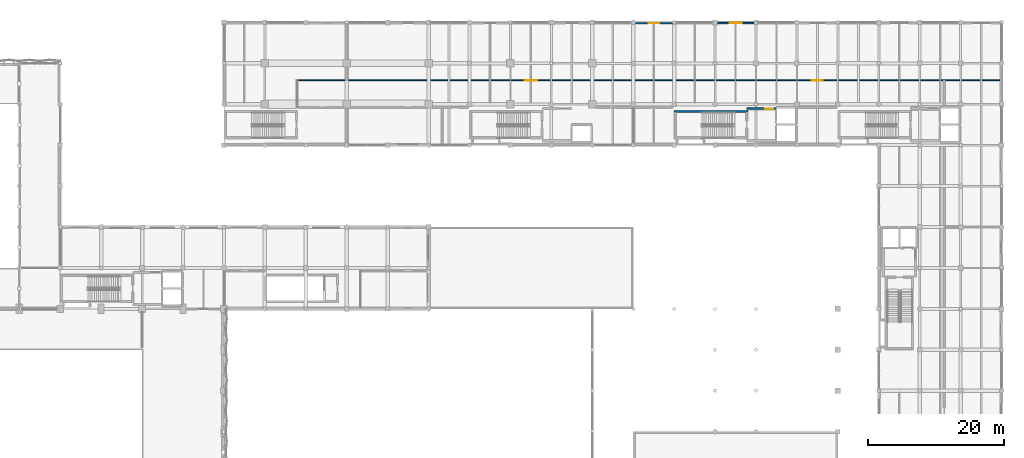
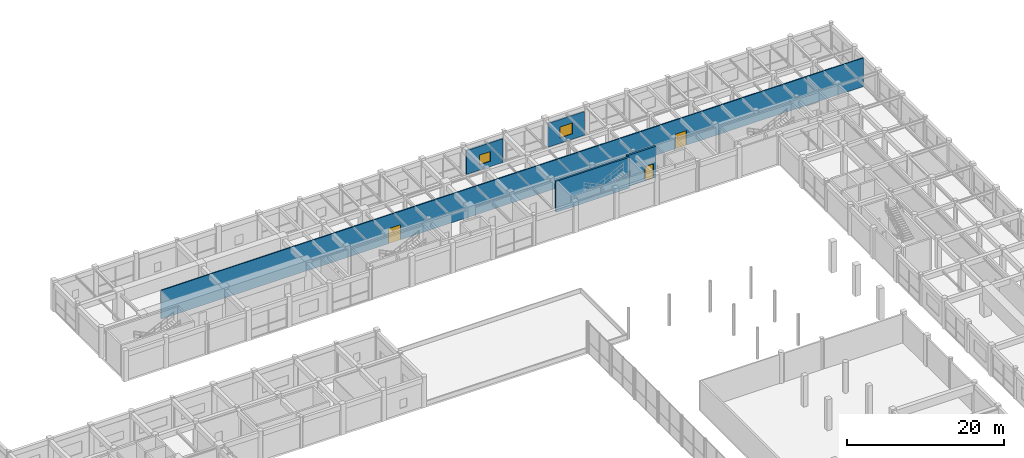
# One storey, part 104 of 123: 5 walls, 3 doors, 2 windows, 5 openings.
"""IFC4 building model written with IfcOpenShell, lengths in metres."""

import ifcopenshell
import ifcopenshell.guid

model = None  # the IFC model being written
_history = None  # IfcOwnerHistory: only IFC2X3 demands one
_inside = {}  # id of a spatial element -> (the spatial element, [elements in it])
_under = {}  # id of a project, library or spatial element -> (it, [spatial elements below it])
_declared = {}  # id of a project -> (the project, [libraries it declares])
_typed = {}  # id of a type object -> (the type object, [elements of that type])
_made_of = {}  # id of a material, layer set ... -> (it, [elements and type objects made of it])


def new_model(schema):
    """Start an empty IFC model of exactly this schema.

    Asked for "IFC4X3", IfcOpenShell would pick the latest addendum, in which some entities
    have other attributes; the version numbers below select the first issue.
    IFC2X3 requires an IfcOwnerHistory on every rooted entity: one is made here for all.
    """
    global model, _history
    if schema == "IFC4X3":
        model = ifcopenshell.file(schema_version=(4, 3, 0, 0))
    else:
        model = ifcopenshell.file(schema=schema)
    _inside.clear()
    _under.clear()
    _declared.clear()
    _typed.clear()
    _made_of.clear()
    _history = None
    if model.schema == "IFC2X3":
        org = make("IfcOrganization", Name="unknown")
        user = make(
            "IfcPersonAndOrganization",
            ThePerson=make("IfcPerson", FamilyName="unknown"),
            TheOrganization=org,
        )
        app = make(
            "IfcApplication",
            ApplicationDeveloper=org,
            Version="unknown",
            ApplicationFullName="unknown",
            ApplicationIdentifier="unknown",
        )
        _history = make(
            "IfcOwnerHistory",
            OwningUser=user,
            OwningApplication=app,
            ChangeAction="ADDED",
            CreationDate=0,
        )
    return model


def make(cls, **values):
    """One entity of the class cls with the attributes given. An attribute that is None is left unset."""
    return model.create_entity(
        cls, **{name: value for name, value in values.items() if value is not None}
    )


def rooted(cls, **values):
    """An entity with a GlobalId (a new one), such as an element, a storey or a relation."""
    return make(cls, GlobalId=ifcopenshell.guid.new(), OwnerHistory=_history, **values)


def si_unit(unit_type, name, prefix=None):
    """IfcSIUnit, for example si_unit("LENGTHUNIT", "METRE", prefix="MILLI")."""
    return make("IfcSIUnit", UnitType=unit_type, Prefix=prefix, Name=name)


def assignment(units):
    """IfcUnitAssignment: the units of a project."""
    return None if units is None else make("IfcUnitAssignment", Units=units)


def point(xyz):
    """IfcCartesianPoint."""
    return None if xyz is None else make("IfcCartesianPoint", Coordinates=xyz)


def direction(xyz):
    """IfcDirection."""
    return None if xyz is None else make("IfcDirection", DirectionRatios=xyz)


def frame(location, z_axis=None, x_axis=None):
    """IfcAxis2Placement3D, a coordinate frame: its origin and axes. An axis left out is left unset."""
    return make(
        "IfcAxis2Placement3D",
        Location=point(location),
        Axis=direction(z_axis),
        RefDirection=direction(x_axis),
    )


def frame_2d(location, x_axis=None):
    """IfcAxis2Placement2D, a coordinate frame in the plane: its origin and x axis."""
    return make(
        "IfcAxis2Placement2D", Location=point(location), RefDirection=direction(x_axis)
    )


def origin():
    """The frame at (0, 0, 0) with its axes left unset."""
    return frame((0.0, 0.0, 0.0))


def place(relative_to, where):
    """IfcLocalPlacement: puts the frame where relative to a parent placement (None: the world)."""
    return make(
        "IfcLocalPlacement", PlacementRelTo=relative_to, RelativePlacement=where
    )


def context(
    kind, dimensions, precision=None, world=None, true_north=None, identifier=None
):
    """IfcGeometricRepresentationContext, for example the 3D "Model" context."""
    return make(
        "IfcGeometricRepresentationContext",
        ContextIdentifier=identifier,
        ContextType=kind,
        CoordinateSpaceDimension=dimensions,
        Precision=precision,
        WorldCoordinateSystem=world,
        TrueNorth=true_north,
    )


def subcontext(parent, identifier, kind, view, scale=None):
    """IfcGeometricRepresentationSubContext, for example "Body" below "Model"."""
    return make(
        "IfcGeometricRepresentationSubContext",
        ContextIdentifier=identifier,
        ContextType=kind,
        ParentContext=parent,
        TargetScale=scale,
        TargetView=view,
    )


def project(units=None, contexts=None):
    """IfcProject with its units and contexts."""
    return rooted(
        "IfcProject",
        Name="project",
        RepresentationContexts=contexts,
        UnitsInContext=assignment(units),
    )


def spatial(cls, under=None, at=None, **own):
    """A site, building, storey or space (cls), placed at a placement, below another one or the project."""
    s = rooted(cls, ObjectPlacement=at, **own)
    if under is not None:
        _under.setdefault(under.id(), (under, []))[1].append(s)
    return s


def profile(cls, at=None, kind="AREA", **sizes):
    """A parametric profile (cls). Its sizes go by their IFC names, for example OverallWidth=200.0."""
    return make(cls, ProfileType=kind, Position=at, **sizes)


def rectangle(**sizes):
    """IfcRectangleProfileDef."""
    return profile("IfcRectangleProfileDef", **sizes)


def extrude(swept, where, along, depth):
    """IfcExtrudedAreaSolid: the profile swept, set in the frame where, extruded along a direction by depth."""
    return make(
        "IfcExtrudedAreaSolid",
        SweptArea=swept,
        Position=where,
        ExtrudedDirection=direction(along),
        Depth=depth,
    )


def shape(context_of_items, identifier, shape_type, items):
    """IfcShapeRepresentation: the items that make up one representation, for example the "Body"."""
    return make(
        "IfcShapeRepresentation",
        ContextOfItems=context_of_items,
        RepresentationIdentifier=identifier,
        RepresentationType=shape_type,
        Items=items,
    )


def material(Name=None, Category=None):
    """IfcMaterial."""
    return make("IfcMaterial", Name=Name, Category=Category)


def layer(
    of_material, thickness, ventilated=None, Name=None, Category=None, Priority=None
):
    """IfcMaterialLayer: one layer of a wall or slab, of a material (None: an air gap)."""
    return make(
        "IfcMaterialLayer",
        Material=of_material,
        LayerThickness=thickness,
        IsVentilated=ventilated,
        Name=Name,
        Category=Category,
        Priority=Priority,
    )


def layer_set(layers, Name=None):
    """IfcMaterialLayerSet."""
    return make("IfcMaterialLayerSet", MaterialLayers=layers, LayerSetName=Name)


def made_of(thing, what):
    """Note that an element or type object is made of a material, layer set ...; save() writes the relation."""
    if what is not None:
        _made_of.setdefault(what.id(), (what, []))[1].append(thing)
    return thing


def type_object(cls, material=None, **own):
    """A type object (cls), such as IfcWallType, which elements share."""
    return made_of(rooted(cls, **own), material)


def element(
    cls,
    number,
    at=None,
    inside=None,
    cuts=None,
    type_object=None,
    material=None,
    context=None,
    identifier="Body",
    shape_type=None,
    held_by="IfcProductDefinitionShape",
    body=None,
    shapes=None,
    **own,
):
    """One element of the class cls, such as IfcWall. Its Tag is "e" and its number.

    at: its placement. inside: the storey or other place that contains it. cuts: it is an
    opening in that element (IfcRelVoidsElement). A single representation is given by context,
    identifier, shape_type and body (its items); several are given by shapes. held_by: the class
    of the entity that holds the representations. save() writes the other relations.
    """
    e = rooted(cls, Tag="e%d" % number, ObjectPlacement=at, **own)
    if body is not None:
        shapes = [shape(context, identifier, shape_type, body)]
    if shapes is not None:
        e.Representation = make(held_by, Representations=shapes)
    if inside is not None:
        _inside.setdefault(inside.id(), (inside, []))[1].append(e)
    if cuts is not None:
        rooted(
            "IfcRelVoidsElement", RelatingBuildingElement=cuts, RelatedOpeningElement=e
        )
    if type_object is not None:
        _typed.setdefault(type_object.id(), (type_object, []))[1].append(e)
    return made_of(e, material)


def fill(opening, filler):
    """IfcRelFillsElement: the door or window that sits in an opening."""
    return rooted(
        "IfcRelFillsElement",
        RelatingOpeningElement=opening,
        RelatedBuildingElement=filler,
    )


def aggregate(whole, parts):
    """IfcRelAggregates: a whole, such as a stair, and the parts it consists of."""
    return rooted("IfcRelAggregates", RelatingObject=whole, RelatedObjects=parts)


def save(model, path):
    """Write the relations noted so far, then the file.

    IfcRelAggregates (storeys below a building ...), IfcRelContainedInSpatialStructure (elements
    in a storey), IfcRelDefinesByType, IfcRelAssociatesMaterial and IfcRelDeclares: one each for
    every whole, place, type object, material and project.
    """
    for whole, parts in _under.values():
        aggregate(whole, parts)
    for where, things in _inside.values():
        rooted(
            "IfcRelContainedInSpatialStructure",
            RelatedElements=things,
            RelatingStructure=where,
        )
    for kind, things in _typed.values():
        rooted("IfcRelDefinesByType", RelatedObjects=things, RelatingType=kind)
    for what, things in _made_of.values():
        rooted("IfcRelAssociatesMaterial", RelatedObjects=things, RelatingMaterial=what)
    for by, libraries in _declared.values():
        rooted("IfcRelDeclares", RelatingContext=by, RelatedDefinitions=libraries)
    model.write(path)


model = new_model("IFC4")

# Units and contexts
model_context = context("Model", 3, precision=1e-05, world=origin(), true_north=direction((0.0, 1.0)))
body_context = subcontext(model_context, "Body", "Model", "MODEL_VIEW")
ifc_project = project(units=[si_unit("LENGTHUNIT", "METRE"), si_unit("AREAUNIT", "SQUARE_METRE"), si_unit("VOLUMEUNIT", "CUBIC_METRE"), si_unit("PLANEANGLEUNIT", "RADIAN"), si_unit("MASSUNIT", "GRAM", prefix="KILO"), si_unit("THERMODYNAMICTEMPERATUREUNIT", "KELVIN"), si_unit("POWERUNIT", "WATT")], contexts=[model_context])

# Site, building, storey
site_placement = place(None, origin())
site = spatial("IfcSite", under=ifc_project, at=site_placement, CompositionType="ELEMENT")
building_placement = place(site_placement, origin())
building = spatial("IfcBuilding", under=site, at=building_placement, Name="Phaisarnlok Congress Hotel", CompositionType="ELEMENT")
storey_placement = place(building_placement, frame((0.0, 0.0, 15.0)))
storey = spatial("IfcBuildingStorey", under=building, at=storey_placement, Name="L03", CompositionType="ELEMENT", Elevation=15.0)

# Wall, opening, window
ifc_material_1 = material(Name="Concrete C40/50", Category="concrete")
ifc_layer_1 = layer(ifc_material_1, 0.2099609375, Name="Concrete C40/50")
ifc_layer_set_1 = layer_set([ifc_layer_1], Name="Concrete C40/50")
wall_type_1 = type_object("IfcWallType", Name="WL-EXT-210", PredefinedType="SOLIDWALL", material=ifc_layer_set_1)
wall_1_placement = place(storey_placement, frame((143.669921875, 125.89501953125, 0.0), z_axis=(0.0, 0.0, 1.0), x_axis=(-1.0, 0.0, 0.0)))
wall_1 = element("IfcWall", 1, at=wall_1_placement, inside=storey, type_object=wall_type_1, Name="Exterior wall EW-07 (L03)", PredefinedType="SOLIDWALL", context=body_context, shape_type="SweptSolid", body=[
    extrude(rectangle(XDim=5.31494140625, YDim=0.2099609375, at=frame_2d((2.657470703125, 0.0))), origin(), (0.0, 0.0, 1.0), 3.699951171875),
])
opening_1_placement = place(wall_1_placement, frame((1.757080078125, 0.0, 0.85009765625)))
opening_1 = element("IfcOpeningElement", 2, at=opening_1_placement, cuts=wall_1, Name="Opening W-10", PredefinedType="OPENING", context=body_context, shape_type="SweptSolid", body=[
    extrude(rectangle(XDim=1.800048828125, YDim=1.699951171875, at=frame_2d((0.89990234375, 0.85009765625))), frame((0.0, 0.114990234375, 0.0), z_axis=(0.0, -1.0, 0.0), x_axis=(1.0, 0.0, 0.0)), (0.0, 0.0, 1.0), 0.22998046875),
])
ifc_material_2 = material(Name="Thermally Broken Aluminium & Low-E Double Glazing", Category="aluminium")
window_type_1 = type_object("IfcWindowType", Name="WIN-POD-1800", PartitioningType="SINGLE_PANEL", PredefinedType="WINDOW", material=ifc_material_2)
window_1_placement = place(opening_1_placement, origin())
window_1 = element("IfcWindow", 3, at=window_1_placement, inside=storey, type_object=window_type_1, Name="Podium window W-10 (L03)", OverallHeight=1.699951171875, OverallWidth=1.800048828125, PartitioningType="SINGLE_PANEL", PredefinedType="WINDOW", context=body_context, shape_type="SweptSolid", body=[
    extrude(rectangle(XDim=1.800048828125, YDim=1.699951171875, at=frame_2d((0.89990234375, 0.85009765625))), frame((0.0, 0.030029296875, 0.0), z_axis=(0.0, -1.0, 0.0), x_axis=(1.0, 0.0, 0.0)), (0.0, 0.0, 1.0), 0.06005859375),
])
fill(opening_1, window_1)

ifc_layer_2 = layer(ifc_material_1, 0.25, Name="Concrete C40/50")
ifc_layer_set_2 = layer_set([ifc_layer_2], Name="Concrete C40/50")
wall_type_2 = type_object("IfcWallType", Name="WL-EXT-250", PredefinedType="SOLIDWALL", material=ifc_layer_set_2)
wall_2_placement = place(storey_placement, frame((131.740966796875, 125.875, 0.0), z_axis=(0.0, 0.0, 1.0), x_axis=(-1.0, 0.0, 0.0)))
wall_2 = element("IfcWall", 4, at=wall_2_placement, inside=storey, type_object=wall_type_2, Name="Exterior wall EW-05 (L03)", PredefinedType="SOLIDWALL", context=body_context, shape_type="SweptSolid", body=[
    extrude(rectangle(XDim=5.385986328125, YDim=0.25, at=frame_2d((2.69287109375, 0.0))), origin(), (0.0, 0.0, 1.0), 3.699951171875),
])
opening_2_placement = place(wall_2_placement, frame((1.89306640625, 0.0, 0.85009765625)))
opening_2 = element("IfcOpeningElement", 5, at=opening_2_placement, cuts=wall_2, Name="Opening W-11", PredefinedType="OPENING", context=body_context, shape_type="SweptSolid", body=[
    extrude(rectangle(XDim=1.60009765625, YDim=1.5, at=frame_2d((0.800048828125, 0.75))), frame((0.0, 0.135009765625, 0.0), z_axis=(0.0, -1.0, 0.0), x_axis=(1.0, 0.0, 0.0)), (0.0, 0.0, 1.0), 0.27001953125),
])
window_type_2 = type_object("IfcWindowType", Name="WIN-POD-1600", PartitioningType="SINGLE_PANEL", PredefinedType="WINDOW", material=ifc_material_2)
window_2_placement = place(opening_2_placement, origin())
window_2 = element("IfcWindow", 6, at=window_2_placement, inside=storey, type_object=window_type_2, Name="Podium window W-11 (L03)", OverallHeight=1.5, OverallWidth=1.60009765625, PartitioningType="SINGLE_PANEL", PredefinedType="WINDOW", context=body_context, shape_type="SweptSolid", body=[
    extrude(rectangle(XDim=1.60009765625, YDim=1.5, at=frame_2d((0.800048828125, 0.75))), frame((0.0, 0.030029296875, 0.0), z_axis=(0.0, -1.0, 0.0), x_axis=(1.0, 0.0, 0.0)), (0.0, 0.0, 1.0), 0.06005859375),
])
fill(opening_2, window_2)

# Wall, openings, doors
ifc_material_3 = material(Name="Acoustic Gypsum Board & Mineral Wool", Category="gypsum")
ifc_layer_3 = layer(ifc_material_3, 0.14990234375, Name="Acoustic Gypsum Board & Mineral Wool")
ifc_layer_set_3 = layer_set([ifc_layer_3], Name="Acoustic Gypsum Board & Mineral Wool")
wall_type_3 = type_object("IfcWallType", Name="WL-INT-150", PredefinedType="PARTITIONING", material=ifc_layer_set_3)
wall_3_placement = place(storey_placement, frame((76.75, 117.5, 0.0), z_axis=(0.0, 0.0, 1.0), x_axis=(1.0, 0.0, 0.0)))
wall_3 = element("IfcWall", 7, at=wall_3_placement, inside=storey, type_object=wall_type_3, Name="Interior partition wall IW-05 (L03)", PredefinedType="PARTITIONING", context=body_context, shape_type="SweptSolid", body=[
    extrude(rectangle(XDim=103.034912109375, YDim=0.14990234375, at=frame_2d((51.517578125, 0.0))), origin(), (0.0, 0.0, 1.0), 4.449951171875),
])
opening_3_placement = place(wall_3_placement, frame((33.35009765625, 0.0, 0.0)))
opening_3 = element("IfcOpeningElement", 8, at=opening_3_placement, cuts=wall_3, Name="Opening D-0116", PredefinedType="OPENING", context=body_context, shape_type="SweptSolid", body=[
    extrude(rectangle(XDim=1.800048828125, YDim=2.35009765625, at=frame_2d((0.89990234375, 1.175048828125))), frame((0.0, 0.0849609375, 0.0), z_axis=(0.0, -1.0, 0.0), x_axis=(1.0, 0.0, 0.0)), (0.0, 0.0, 1.0), 0.169921875),
])
opening_4_placement = place(wall_3_placement, frame((75.449951171875, 0.0, 0.0)))
opening_4 = element("IfcOpeningElement", 9, at=opening_4_placement, cuts=wall_3, Name="Opening D-0117", PredefinedType="OPENING", context=body_context, shape_type="SweptSolid", body=[
    extrude(rectangle(XDim=1.60009765625, YDim=2.25, at=frame_2d((0.800048828125, 1.125))), frame((0.0, 0.0849609375, 0.0), z_axis=(0.0, -1.0, 0.0), x_axis=(1.0, 0.0, 0.0)), (0.0, 0.0, 1.0), 0.169921875),
])
ifc_material_4 = material(Name="Frameless Tempered Acoustic Glass", Category="glass")
door_type_1 = type_object("IfcDoorType", Name="DR-GLZ-1600", OperationType="DOUBLE_DOOR_SINGLE_SWING", PredefinedType="DOOR", material=ifc_material_4)
door_1_placement = place(opening_4_placement, origin())
door_1 = element("IfcDoor", 10, at=door_1_placement, inside=storey, type_object=door_type_1, Name="Interior door D-0117 (L03)", OperationType="DOUBLE_DOOR_SINGLE_SWING", OverallHeight=2.25, OverallWidth=1.60009765625, PredefinedType="DOOR", context=body_context, shape_type="SweptSolid", body=[
    extrude(rectangle(XDim=1.60009765625, YDim=2.25, at=frame_2d((0.800048828125, 1.125))), frame((0.0, 0.02490234375, 0.0), z_axis=(0.0, -1.0, 0.0), x_axis=(1.0, 0.0, 0.0)), (0.0, 0.0, 1.0), 0.050048828125),
])
fill(opening_4, door_1)
door_type_2 = type_object("IfcDoorType", Name="DR-GLZ-1800", OperationType="DOUBLE_DOOR_SINGLE_SWING", PredefinedType="DOOR", material=ifc_material_4)
door_2_placement = place(opening_3_placement, origin())
door_2 = element("IfcDoor", 11, at=door_2_placement, inside=storey, type_object=door_type_2, Name="Interior door D-0116 (L03)", OperationType="DOUBLE_DOOR_SINGLE_SWING", OverallHeight=2.35009765625, OverallWidth=1.800048828125, PredefinedType="DOOR", context=body_context, shape_type="SweptSolid", body=[
    extrude(rectangle(XDim=1.800048828125, YDim=2.35009765625, at=frame_2d((0.89990234375, 1.175048828125))), frame((0.0, 0.02490234375, 0.0), z_axis=(0.0, -1.0, 0.0), x_axis=(1.0, 0.0, 0.0)), (0.0, 0.0, 1.0), 0.050048828125),
])
fill(opening_3, door_2)

# Wall
ifc_material_5 = material(Name="Concrete C50/60", Category="concrete")
ifc_layer_4 = layer(ifc_material_5, 0.260009765625, Name="Concrete C50/60")
ifc_layer_set_4 = layer_set([ifc_layer_4], Name="Concrete C50/60")
wall_type_4 = type_object("IfcWallType", Name="WL-SHR-260", PredefinedType="SHEAR", material=ifc_layer_set_4)
wall_4_placement = place(storey_placement, frame((132.0400390625, 112.929931640625, 0.0), z_axis=(0.0, 0.0, 1.0), x_axis=(1.0, 0.0, 0.0)))
element("IfcWall", 12, at=wall_4_placement, inside=storey, type_object=wall_type_4, Name="Stair shaft shear wall SW-04 (CORE-2 L03)", PredefinedType="SHEAR", context=body_context, shape_type="SweptSolid", body=[
    extrude(rectangle(XDim=10.719970703125, YDim=0.260009765625, at=frame_2d((5.35986328125, 0.0))), origin(), (0.0, 0.0, 1.0), 4.800048828125),
])

# Wall, opening, door
ifc_layer_5 = layer(ifc_material_5, 0.300048828125, Name="Concrete C50/60")
ifc_layer_set_5 = layer_set([ifc_layer_5], Name="Concrete C50/60")
wall_type_5 = type_object("IfcWallType", Name="WL-SHR-300", PredefinedType="SHEAR", material=ifc_layer_set_5)
wall_5_placement = place(storey_placement, frame((142.679931640625, 113.35009765625, 0.0), z_axis=(0.0, 0.0, 1.0), x_axis=(1.0, 0.0, 0.0)))
wall_5 = element("IfcWall", 13, at=wall_5_placement, inside=storey, type_object=wall_type_5, Name="Core lobby EI-120 wall SW-03 (CORE-2 L03)", PredefinedType="SHEAR", context=body_context, shape_type="SweptSolid", body=[
    extrude(rectangle(XDim=4.239990234375, YDim=0.300048828125, at=frame_2d((2.1201171875, 0.0))), origin(), (0.0, 0.0, 1.0), 4.800048828125),
])
opening_5_placement = place(wall_5_placement, frame((2.64990234375, 0.0, 0.0)))
opening_5 = element("IfcOpeningElement", 14, at=opening_5_placement, cuts=wall_5, Name="Opening FD-050", PredefinedType="OPENING", context=body_context, shape_type="SweptSolid", body=[
    extrude(rectangle(XDim=1.199951171875, YDim=2.199951171875, at=frame_2d((0.60009765625, 1.10009765625))), frame((0.0, 0.16015625, 0.0), z_axis=(0.0, -1.0, 0.0), x_axis=(1.0, 0.0, 0.0)), (0.0, 0.0, 1.0), 0.320068359375),
])
ifc_material_6 = material(Name="Fire-Rated Steel Frame & Timber Leaf", Category="steel")
door_type_3 = type_object("IfcDoorType", Name="DR-FD60-1200", OperationType="NOTDEFINED", PredefinedType="DOOR", material=ifc_material_6)
door_3_placement = place(opening_5_placement, origin())
door_3 = element("IfcDoor", 15, at=door_3_placement, inside=storey, type_object=door_type_3, Name="Firefighting lobby entrance door FD-050 (CORE-2 L03)", OperationType="SINGLE_SWING_LEFT", OverallHeight=2.199951171875, OverallWidth=1.199951171875, PredefinedType="DOOR", context=body_context, shape_type="SweptSolid", body=[
    extrude(rectangle(XDim=1.199951171875, YDim=2.199951171875, at=frame_2d((0.60009765625, 1.10009765625))), frame((0.0, 0.02490234375, 0.0), z_axis=(0.0, -1.0, 0.0), x_axis=(1.0, 0.0, 0.0)), (0.0, 0.0, 1.0), 0.050048828125),
])
fill(opening_5, door_3)

save(model, "model.ifc")
